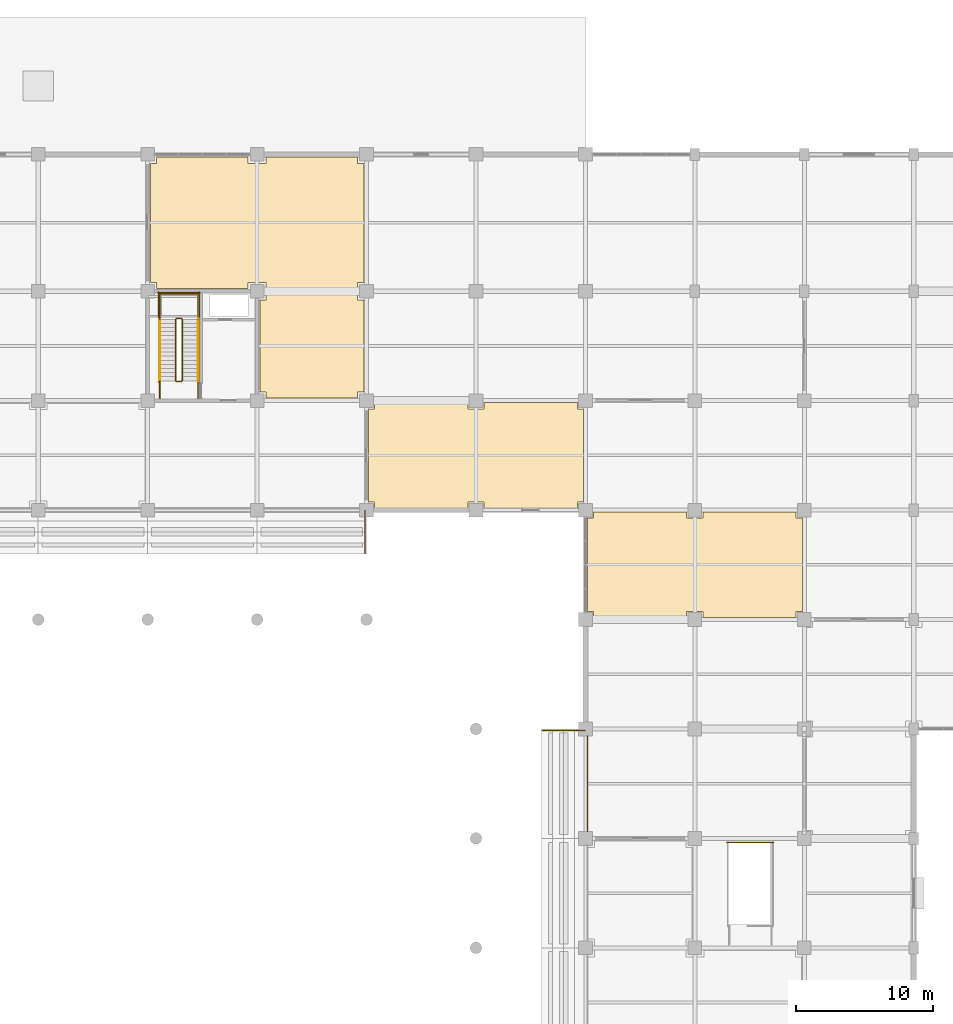
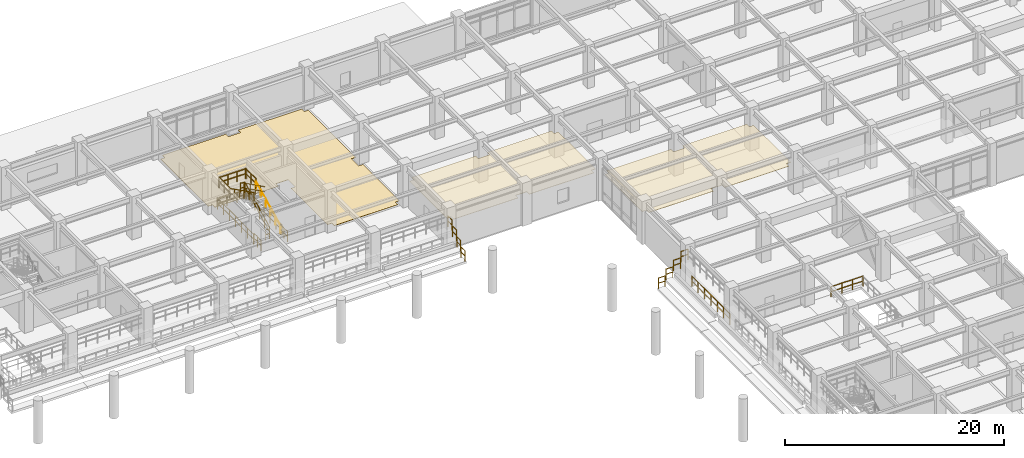
# One storey, part 116 of 117: 24 railings, 3 coverings.
"""IFC4 building model written with IfcOpenShell, lengths in metres."""

from ifc_helpers import new_model, si_unit, direction, frame, origin, origin_2d, place, context, subcontext, project, spatial, polyline, circle, outline, extrude, material, layer, layer_set, type_object, element, save


model = new_model("IFC4")

# Units and contexts
model_context = context("Model", 3, precision=1e-05, world=origin(), true_north=direction((0.0, 1.0)))
body_context = subcontext(model_context, "Body", "Model", "MODEL_VIEW")
ifc_project = project(units=[si_unit("LENGTHUNIT", "METRE"), si_unit("AREAUNIT", "SQUARE_METRE"), si_unit("VOLUMEUNIT", "CUBIC_METRE"), si_unit("PLANEANGLEUNIT", "RADIAN"), si_unit("MASSUNIT", "GRAM", prefix="KILO")], contexts=[model_context])

# Site, building, storey
site_placement = place(None, origin())
site = spatial("IfcSite", under=ifc_project, at=site_placement, CompositionType="ELEMENT")
building_placement = place(site_placement, origin())
building = spatial("IfcBuilding", under=site, at=building_placement, Name="Haebicheon Civic Stadium", CompositionType="ELEMENT")
storey_placement = place(building_placement, frame((0.0, 0.0, 4.800048828125)))
storey = spatial("IfcBuildingStorey", under=building, at=storey_placement, Name="L02", CompositionType="ELEMENT", Elevation=4.800048828125)

# Coverings
ifc_material_1 = material(Name="Perforated mineral-fibre acoustic board", Category="gypsum")
ifc_layer_1 = layer(ifc_material_1, 0.0400390625, Name="Perforated mineral-fibre acoustic board")
ifc_layer_set_1 = layer_set([ifc_layer_1], Name="Perforated mineral-fibre acoustic board")
covering_type_1 = type_object("IfcCoveringType", Name="COV-CLG-AC", PredefinedType="CEILING", material=ifc_layer_set_1)
covering_1_placement = place(storey_placement, frame((0.0, 0.0, 2.81005859375)))
element("IfcCovering", 1, at=covering_1_placement, inside=storey, type_object=covering_type_1, material=ifc_layer_set_1, Name="L02 Food and Beverage Kiosk acoustic ceiling", PredefinedType="CEILING", context=body_context, shape_type="SweptSolid", body=[
    extrude(outline(polyline([(128.14501953125, 159.405029296875), (128.594970703125, 159.405029296875), (128.594970703125, 159.85498046875), (135.405029296875, 159.85498046875), (135.405029296875, 159.405029296875), (136.594970703125, 159.405029296875), (136.594970703125, 159.85498046875), (143.405029296875, 159.85498046875), (143.405029296875, 159.405029296875), (143.85498046875, 159.405029296875), (143.85498046875, 152.594970703125), (143.405029296875, 152.594970703125), (143.405029296875, 152.14501953125), (136.594970703125, 152.14501953125), (136.594970703125, 152.594970703125), (135.405029296875, 152.594970703125), (135.405029296875, 152.14501953125), (128.594970703125, 152.14501953125), (128.594970703125, 152.594970703125), (128.14501953125, 152.594970703125), (128.14501953125, 159.405029296875)])), origin(), (0.0, 0.0, 1.0), 0.039794921875),
])
covering_2_placement = place(storey_placement, frame((0.0, 0.0, 2.81005859375)))
element("IfcCovering", 2, at=covering_2_placement, inside=storey, type_object=covering_type_1, material=ifc_layer_set_1, Name="L02 Concourse Catering Kitchen acoustic ceiling", PredefinedType="CEILING", context=body_context, shape_type="SweptSolid", body=[
    extrude(outline(polyline([(144.14501953125, 151.405029296875), (144.594970703125, 151.405029296875), (144.594970703125, 151.85498046875), (151.405029296875, 151.85498046875), (151.405029296875, 151.405029296875), (152.594970703125, 151.405029296875), (152.594970703125, 151.85498046875), (159.405029296875, 151.85498046875), (159.405029296875, 151.405029296875), (159.85498046875, 151.405029296875), (159.85498046875, 144.594970703125), (159.405029296875, 144.594970703125), (159.405029296875, 144.14501953125), (152.594970703125, 144.14501953125), (152.594970703125, 144.594970703125), (151.405029296875, 144.594970703125), (151.405029296875, 144.14501953125), (144.594970703125, 144.14501953125), (144.594970703125, 144.594970703125), (144.14501953125, 144.594970703125), (144.14501953125, 151.405029296875)])), origin(), (0.0, 0.0, 1.0), 0.039794921875),
])
ifc_material_2 = material(Name="Quartz epoxy resin mortar", Category="concrete")
ifc_layer_2 = layer(ifc_material_2, 0.030029296875, Name="Quartz epoxy resin mortar")
ifc_layer_set_2 = layer_set([ifc_layer_2], Name="Quartz epoxy resin mortar")
covering_type_2 = type_object("IfcCoveringType", Name="COV-FLR-EPX", PredefinedType="FLOORING", material=ifc_layer_set_2)
covering_3_placement = place(storey_placement, origin())
element("IfcCovering", 3, at=covering_3_placement, inside=storey, type_object=covering_type_2, material=ifc_layer_set_2, Name="L02 Merchandise Kiosk non-slip floor finish", PredefinedType="FLOORING", context=body_context, shape_type="SweptSolid", body=[
    extrude(outline(polyline([(120.64990234375, 160.199951171875), (120.64990234375, 160.64990234375), (120.199951171875, 160.64990234375), (120.199951171875, 167.35009765625), (120.64990234375, 167.35009765625), (120.64990234375, 168.64990234375), (119.35009765625, 168.64990234375), (119.35009765625, 168.199951171875), (112.64990234375, 168.199951171875), (112.64990234375, 168.64990234375), (112.199951171875, 168.64990234375), (112.199951171875, 177.35009765625), (112.64990234375, 177.35009765625), (112.64990234375, 177.800048828125), (119.35009765625, 177.800048828125), (119.35009765625, 177.35009765625), (120.64990234375, 177.35009765625), (120.64990234375, 177.800048828125), (127.35009765625, 177.800048828125), (127.35009765625, 177.35009765625), (127.800048828125, 177.35009765625), (127.800048828125, 168.64990234375), (127.35009765625, 168.64990234375), (127.35009765625, 167.35009765625), (127.800048828125, 167.35009765625), (127.800048828125, 160.64990234375), (127.35009765625, 160.64990234375), (127.35009765625, 160.199951171875), (120.64990234375, 160.199951171875)])), origin(), (0.0, 0.0, 1.0), 0.030029296875),
])

# Railings
ifc_material_3 = material(Name="Stainless steel 316 and laminated glass", Category="steel")
railing_type_1 = type_object("IfcRailingType", Name="RL-BAL-1200", PredefinedType="BALUSTRADE", material=ifc_material_3)
railing_1_placement = place(storey_placement, frame((144.139892578125, 128.5, 0.0)))
element("IfcRailing", 4, at=railing_1_placement, inside=storey, type_object=railing_type_1, material=ifc_material_3, Name="L02 concourse bowl-edge balustrade 032", PredefinedType="BALUSTRADE", context=body_context, shape_type="SweptSolid", body=[
    extrude(circle(Radius=0.02392578125, at=origin_2d()), frame((0.0, 0.0, 1.17578125), z_axis=(0.0, 1.0, 0.0), x_axis=(-1.0, 0.0, 0.0)), (0.0, 0.0, 1.0), 7.0),
    extrude(circle(Radius=0.02392578125, at=origin_2d()), frame((0.0, 0.0, 0.60009765625), z_axis=(0.0, 1.0, 0.0), x_axis=(-1.0, 0.0, 0.0)), (0.0, 0.0, 1.0), 7.0),
    extrude(circle(Radius=0.02099609375, at=origin_2d()), origin(), (0.0, 0.0, 1.0), 1.15185546875),
    extrude(circle(Radius=0.02099609375, at=origin_2d()), frame((0.0, 1.166748046875, 0.0)), (0.0, 0.0, 1.0), 1.15185546875),
    extrude(circle(Radius=0.02099609375, at=origin_2d()), frame((0.0, 2.333251953125, 0.0)), (0.0, 0.0, 1.0), 1.15185546875),
    extrude(circle(Radius=0.02099609375, at=origin_2d()), frame((0.0, 3.5, 0.0)), (0.0, 0.0, 1.0), 1.15185546875),
    extrude(circle(Radius=0.02099609375, at=origin_2d()), frame((0.0, 4.666748046875, 0.0)), (0.0, 0.0, 1.0), 1.15185546875),
    extrude(circle(Radius=0.02099609375, at=origin_2d()), frame((0.0, 5.833251953125, 0.0)), (0.0, 0.0, 1.0), 1.15185546875),
    extrude(circle(Radius=0.02099609375, at=origin_2d()), frame((0.0, 7.0, 0.0)), (0.0, 0.0, 1.0), 1.15185546875),
])
railing_2_placement = place(storey_placement, frame((140.840087890625, 135.89990234375, 0.6669921875)))
element("IfcRailing", 5, at=railing_2_placement, inside=storey, type_object=railing_type_1, material=ifc_material_3, Name="TIER-E-L end-aisle side guard N.7", PredefinedType="BALUSTRADE", context=body_context, shape_type="SweptSolid", body=[
    extrude(circle(Radius=0.02392578125, at=origin_2d()), frame((0.0, 0.0, 1.17578125), z_axis=(1.0, 0.0, 0.0), x_axis=(0.0, 1.0, 0.0)), (0.0, 0.0, 1.0), 0.719970703125),
    extrude(circle(Radius=0.02392578125, at=origin_2d()), frame((0.0, 0.0, 0.60009765625), z_axis=(1.0, 0.0, 0.0), x_axis=(0.0, 1.0, 0.0)), (0.0, 0.0, 1.0), 0.719970703125),
    extrude(circle(Radius=0.02099609375, at=origin_2d()), origin(), (0.0, 0.0, 1.0), 1.15185546875),
    extrude(circle(Radius=0.02099609375, at=origin_2d()), frame((0.719970703125, 0.0, 0.0)), (0.0, 0.0, 1.0), 1.15185546875),
])
railing_3_placement = place(storey_placement, frame((141.639892578125, 135.89990234375, 1.3779296875)))
element("IfcRailing", 6, at=railing_3_placement, inside=storey, type_object=railing_type_1, material=ifc_material_3, Name="TIER-E-L end-aisle side guard N.8", PredefinedType="BALUSTRADE", context=body_context, shape_type="SweptSolid", body=[
    extrude(circle(Radius=0.02392578125, at=origin_2d()), frame((0.0, 0.0, 1.17578125), z_axis=(1.0, 0.0, 0.0), x_axis=(0.0, 1.0, 0.0)), (0.0, 0.0, 1.0), 0.72021484375),
    extrude(circle(Radius=0.02392578125, at=origin_2d()), frame((0.0, 0.0, 0.60009765625), z_axis=(1.0, 0.0, 0.0), x_axis=(0.0, 1.0, 0.0)), (0.0, 0.0, 1.0), 0.72021484375),
    extrude(circle(Radius=0.02099609375, at=origin_2d()), origin(), (0.0, 0.0, 1.0), 1.15185546875),
    extrude(circle(Radius=0.02099609375, at=origin_2d()), frame((0.72021484375, 0.0, 0.0)), (0.0, 0.0, 1.0), 1.15185546875),
])
for number, where, name in (
    (7, (142.43994140625, 135.89990234375, 2.0888671875), "TIER-E-L end-aisle side guard N.9"),
    (8, (143.239990234375, 135.89990234375, 2.800048828125), "TIER-E-L end-aisle side guard N.10"),
):
    element("IfcRailing", number, at=place(storey_placement, frame(where)), inside=storey, type_object=railing_type_1, material=ifc_material_3, Name=name, PredefinedType="BALUSTRADE", context=body_context, shape_type="SweptSolid", body=[
        extrude(circle(Radius=0.02392578125, at=origin_2d()), frame((0.0, 0.0, 1.17578125), z_axis=(1.0, 0.0, 0.0), x_axis=(0.0, 1.0, 0.0)), (0.0, 0.0, 1.0), 0.719970703125),
        extrude(circle(Radius=0.02392578125, at=origin_2d()), frame((0.0, 0.0, 0.60009765625), z_axis=(1.0, 0.0, 0.0), x_axis=(0.0, 1.0, 0.0)), (0.0, 0.0, 1.0), 0.719970703125),
        extrude(circle(Radius=0.02099609375, at=origin_2d()), origin(), (0.0, 0.0, 1.0), 1.15185546875),
        extrude(circle(Radius=0.02099609375, at=origin_2d()), frame((0.719970703125, 0.0, 0.0)), (0.0, 0.0, 1.0), 1.15185546875),
    ])
railing_4_placement = place(storey_placement, frame((127.89990234375, 148.840087890625, 0.39990234375)))
element("IfcRailing", 9, at=railing_4_placement, inside=storey, type_object=railing_type_1, material=ifc_material_3, Name="TIER-N-L end-aisle side guard E.7", PredefinedType="BALUSTRADE", context=body_context, shape_type="SweptSolid", body=[
    extrude(circle(Radius=0.02392578125, at=origin_2d()), frame((0.0, 0.0, 1.17578125), z_axis=(0.0, 1.0, 0.0), x_axis=(-1.0, 0.0, 0.0)), (0.0, 0.0, 1.0), 0.719970703125),
    extrude(circle(Radius=0.02392578125, at=origin_2d()), frame((0.0, 0.0, 0.60009765625), z_axis=(0.0, 1.0, 0.0), x_axis=(-1.0, 0.0, 0.0)), (0.0, 0.0, 1.0), 0.719970703125),
    extrude(circle(Radius=0.02099609375, at=origin_2d()), origin(), (0.0, 0.0, 1.0), 1.15185546875),
    extrude(circle(Radius=0.02099609375, at=origin_2d()), frame((0.0, 0.719970703125, 0.0)), (0.0, 0.0, 1.0), 1.15185546875),
])
railing_5_placement = place(storey_placement, frame((127.89990234375, 149.639892578125, 1.06689453125)))
element("IfcRailing", 10, at=railing_5_placement, inside=storey, type_object=railing_type_1, material=ifc_material_3, Name="TIER-N-L end-aisle side guard E.8", PredefinedType="BALUSTRADE", context=body_context, shape_type="SweptSolid", body=[
    extrude(circle(Radius=0.02392578125, at=origin_2d()), frame((0.0, 0.0, 1.17578125), z_axis=(0.0, 1.0, 0.0), x_axis=(-1.0, 0.0, 0.0)), (0.0, 0.0, 1.0), 0.72021484375),
    extrude(circle(Radius=0.02392578125, at=origin_2d()), frame((0.0, 0.0, 0.60009765625), z_axis=(0.0, 1.0, 0.0), x_axis=(-1.0, 0.0, 0.0)), (0.0, 0.0, 1.0), 0.72021484375),
    extrude(circle(Radius=0.02099609375, at=origin_2d()), origin(), (0.0, 0.0, 1.0), 1.15185546875),
    extrude(circle(Radius=0.02099609375, at=origin_2d()), frame((0.0, 0.72021484375, 0.0)), (0.0, 0.0, 1.0), 1.15185546875),
])
for number, where, name in (
    (11, (127.89990234375, 150.43994140625, 1.73291015625), "TIER-N-L end-aisle side guard E.9"),
    (12, (127.89990234375, 151.239990234375, 2.39990234375), "TIER-N-L end-aisle side guard E.10"),
):
    element("IfcRailing", number, at=place(storey_placement, frame(where)), inside=storey, type_object=railing_type_1, material=ifc_material_3, Name=name, PredefinedType="BALUSTRADE", context=body_context, shape_type="SweptSolid", body=[
        extrude(circle(Radius=0.02392578125, at=origin_2d()), frame((0.0, 0.0, 1.17578125), z_axis=(0.0, 1.0, 0.0), x_axis=(-1.0, 0.0, 0.0)), (0.0, 0.0, 1.0), 0.719970703125),
        extrude(circle(Radius=0.02392578125, at=origin_2d()), frame((0.0, 0.0, 0.60009765625), z_axis=(0.0, 1.0, 0.0), x_axis=(-1.0, 0.0, 0.0)), (0.0, 0.0, 1.0), 0.719970703125),
        extrude(circle(Radius=0.02099609375, at=origin_2d()), origin(), (0.0, 0.0, 1.0), 1.15185546875),
        extrude(circle(Radius=0.02099609375, at=origin_2d()), frame((0.0, 0.719970703125, 0.0)), (0.0, 0.0, 1.0), 1.15185546875),
    ])
ifc_material_4 = material(Name="Galvanised painted steel SM355", Category="steel")
railing_type_2 = type_object("IfcRailingType", Name="RL-GRD-1150", PredefinedType="GUARDRAIL", material=ifc_material_4)
railing_6_placement = place(storey_placement, frame((114.530029296875, 161.449951171875, 0.14990234375)))
element("IfcRailing", 13, at=railing_6_placement, inside=storey, type_object=railing_type_2, material=ifc_material_4, Name="L02 ST-09 stair guard 1", PredefinedType="GUARDRAIL", context=body_context, shape_type="SweptSolid", body=[
    extrude(circle(Radius=0.02392578125, at=origin_2d()), frame((0.0, 0.0, 1.1259765625), z_axis=(0.0, 0.894427191, 0.4472135955), x_axis=(-1.0, 0.0, 0.0)), (0.0, 0.0, 1.0), 5.03125),
    extrude(circle(Radius=0.02392578125, at=origin_2d()), frame((0.0, 0.0, 0.574951171875), z_axis=(0.0, 0.894427191, 0.4472135955), x_axis=(-1.0, 0.0, 0.0)), (0.0, 0.0, 1.0), 5.03125),
    extrude(circle(Radius=0.02099609375, at=origin_2d()), origin(), (0.0, 0.0, 1.0), 1.101806640625),
    extrude(circle(Radius=0.02099609375, at=origin_2d()), frame((0.0, 0.89990234375, 0.449951171875)), (0.0, 0.0, 1.0), 1.101806640625),
    extrude(circle(Radius=0.02099609375, at=origin_2d()), frame((0.0, 1.800048828125, 0.89990234375)), (0.0, 0.0, 1.0), 1.101806640625),
    extrude(circle(Radius=0.02099609375, at=origin_2d()), frame((0.0, 2.699951171875, 1.35009765625)), (0.0, 0.0, 1.0), 1.101806640625),
    extrude(circle(Radius=0.02099609375, at=origin_2d()), frame((0.0, 3.60009765625, 1.800048828125)), (0.0, 0.0, 1.0), 1.101806640625),
    extrude(circle(Radius=0.02099609375, at=origin_2d()), frame((0.0, 4.5, 2.25)), (0.0, 0.0, 1.0), 1.101806640625),
])
railing_7_placement = place(storey_placement, frame((114.47998046875, 166.0, 2.39990234375)))
element("IfcRailing", 14, at=railing_7_placement, inside=storey, type_object=railing_type_2, material=ifc_material_4, Name="L02 ST-09 stair guard 2", PredefinedType="GUARDRAIL", context=body_context, shape_type="SweptSolid", body=[
    extrude(circle(Radius=0.02392578125, at=origin_2d()), frame((0.0, 0.0, 1.1259765625), z_axis=(-1.0, 0.0, 0.0), x_axis=(0.0, -1.0, 0.0)), (0.0, 0.0, 1.0), 0.3798828125),
    extrude(circle(Radius=0.02392578125, at=origin_2d()), frame((0.0, 0.0, 0.574951171875), z_axis=(-1.0, 0.0, 0.0), x_axis=(0.0, -1.0, 0.0)), (0.0, 0.0, 1.0), 0.3798828125),
    extrude(circle(Radius=0.02099609375, at=origin_2d()), origin(), (0.0, 0.0, 1.0), 1.101806640625),
    extrude(circle(Radius=0.02099609375, at=origin_2d()), frame((-0.3798828125, 0.0, 0.0)), (0.0, 0.0, 1.0), 1.101806640625),
])
for number, where, name in (
    (15, (115.68994140625, 165.949951171875, 2.39990234375), "L02 ST-09 stair guard 3"),
    (16, (112.889892578125, 165.949951171875, 2.39990234375), "L02 ST-09 stair guard 4"),
):
    element("IfcRailing", number, at=place(storey_placement, frame(where)), inside=storey, type_object=railing_type_2, material=ifc_material_4, Name=name, PredefinedType="GUARDRAIL", context=body_context, shape_type="SweptSolid", body=[
        extrude(circle(Radius=0.02392578125, at=origin_2d()), frame((0.0, 0.0, 1.1259765625), z_axis=(0.0, 1.0, 0.0), x_axis=(-1.0, 0.0, 0.0)), (0.0, 0.0, 1.0), 1.89013671875),
        extrude(circle(Radius=0.02392578125, at=origin_2d()), frame((0.0, 0.0, 0.574951171875), z_axis=(0.0, 1.0, 0.0), x_axis=(-1.0, 0.0, 0.0)), (0.0, 0.0, 1.0), 1.89013671875),
        extrude(circle(Radius=0.02099609375, at=origin_2d()), origin(), (0.0, 0.0, 1.0), 1.101806640625),
        extrude(circle(Radius=0.02099609375, at=origin_2d()), frame((0.0, 0.945068359375, 0.0)), (0.0, 0.0, 1.0), 1.101806640625),
        extrude(circle(Radius=0.02099609375, at=origin_2d()), frame((0.0, 1.89013671875, 0.0)), (0.0, 0.0, 1.0), 1.101806640625),
    ])
railing_8_placement = place(storey_placement, frame((115.739990234375, 167.7900390625, 2.39990234375)))
element("IfcRailing", 17, at=railing_8_placement, inside=storey, type_object=railing_type_2, material=ifc_material_4, Name="L02 ST-09 stair guard 5", PredefinedType="GUARDRAIL", context=body_context, shape_type="SweptSolid", body=[
    extrude(circle(Radius=0.02392578125, at=origin_2d()), frame((0.0, 0.0, 1.1259765625), z_axis=(-1.0, 0.0, 0.0), x_axis=(0.0, -1.0, 0.0)), (0.0, 0.0, 1.0), 2.89990234375),
    extrude(circle(Radius=0.02392578125, at=origin_2d()), frame((0.0, 0.0, 0.574951171875), z_axis=(-1.0, 0.0, 0.0), x_axis=(0.0, -1.0, 0.0)), (0.0, 0.0, 1.0), 2.89990234375),
    extrude(circle(Radius=0.02099609375, at=origin_2d()), origin(), (0.0, 0.0, 1.0), 1.101806640625),
    extrude(circle(Radius=0.02099609375, at=origin_2d()), frame((-0.966552734375, 0.0, 0.0)), (0.0, 0.0, 1.0), 1.101806640625),
    extrude(circle(Radius=0.02099609375, at=origin_2d()), frame((-1.933349609375, 0.0, 0.0)), (0.0, 0.0, 1.0), 1.101806640625),
    extrude(circle(Radius=0.02099609375, at=origin_2d()), frame((-2.89990234375, 0.0, 0.0)), (0.0, 0.0, 1.0), 1.101806640625),
])
railing_9_placement = place(storey_placement, frame((114.050048828125, 165.949951171875, 2.550048828125)))
element("IfcRailing", 18, at=railing_9_placement, inside=storey, type_object=railing_type_2, material=ifc_material_4, Name="L02 ST-09 stair guard 6", PredefinedType="GUARDRAIL", context=body_context, shape_type="SweptSolid", body=[
    extrude(circle(Radius=0.02392578125, at=origin_2d()), frame((0.0, 0.0, 1.1259765625), z_axis=(0.0, -0.894427191, 0.4472135955), x_axis=(1.0, 0.0, 0.0)), (0.0, 0.0, 1.0), 5.03125),
    extrude(circle(Radius=0.02392578125, at=origin_2d()), frame((0.0, 0.0, 0.574951171875), z_axis=(0.0, -0.894427191, 0.4472135955), x_axis=(1.0, 0.0, 0.0)), (0.0, 0.0, 1.0), 5.03125),
    extrude(circle(Radius=0.02099609375, at=origin_2d()), origin(), (0.0, 0.0, 1.0), 1.101806640625),
    extrude(circle(Radius=0.02099609375, at=origin_2d()), frame((0.0, -0.89990234375, 0.449951171875)), (0.0, 0.0, 1.0), 1.101806640625),
    extrude(circle(Radius=0.02099609375, at=origin_2d()), frame((0.0, -1.800048828125, 0.89990234375)), (0.0, 0.0, 1.0), 1.101806640625),
    extrude(circle(Radius=0.02099609375, at=origin_2d()), frame((0.0, -2.699951171875, 1.35009765625)), (0.0, 0.0, 1.0), 1.101806640625),
    extrude(circle(Radius=0.02099609375, at=origin_2d()), frame((0.0, -3.60009765625, 1.800048828125)), (0.0, 0.0, 1.0), 1.101806640625),
    extrude(circle(Radius=0.02099609375, at=origin_2d()), frame((0.0, -4.5, 2.25)), (0.0, 0.0, 1.0), 1.101806640625),
])
railing_10_placement = place(storey_placement, frame((114.47998046875, 161.39990234375, 0.0)))
element("IfcRailing", 19, at=railing_10_placement, inside=storey, type_object=railing_type_2, material=ifc_material_4, Name="L02 ST-09 stair guard 7", PredefinedType="GUARDRAIL", context=body_context, shape_type="SweptSolid", body=[
    extrude(circle(Radius=0.02392578125, at=origin_2d()), frame((0.0, 0.0, 1.1259765625), z_axis=(-1.0, 0.0, 0.0), x_axis=(0.0, -1.0, 0.0)), (0.0, 0.0, 1.0), 0.3798828125),
    extrude(circle(Radius=0.02392578125, at=origin_2d()), frame((0.0, 0.0, 0.574951171875), z_axis=(-1.0, 0.0, 0.0), x_axis=(0.0, -1.0, 0.0)), (0.0, 0.0, 1.0), 0.3798828125),
    extrude(circle(Radius=0.02099609375, at=origin_2d()), origin(), (0.0, 0.0, 1.0), 1.101806640625),
    extrude(circle(Radius=0.02099609375, at=origin_2d()), frame((-0.3798828125, 0.0, 0.0)), (0.0, 0.0, 1.0), 1.101806640625),
])
for number, where, name in (
    (20, (115.68994140625, 160.159912109375, 0.0), "L02 ST-09 stair guard 8"),
    (21, (112.889892578125, 160.159912109375, 0.0), "L02 ST-09 stair guard 9"),
):
    element("IfcRailing", number, at=place(storey_placement, frame(where)), inside=storey, type_object=railing_type_2, material=ifc_material_4, Name=name, PredefinedType="GUARDRAIL", context=body_context, shape_type="SweptSolid", body=[
        extrude(circle(Radius=0.02392578125, at=origin_2d()), frame((0.0, 0.0, 1.1259765625), z_axis=(0.0, 1.0, 0.0), x_axis=(-1.0, 0.0, 0.0)), (0.0, 0.0, 1.0), 1.2900390625),
        extrude(circle(Radius=0.02392578125, at=origin_2d()), frame((0.0, 0.0, 0.574951171875), z_axis=(0.0, 1.0, 0.0), x_axis=(-1.0, 0.0, 0.0)), (0.0, 0.0, 1.0), 1.2900390625),
        extrude(circle(Radius=0.02099609375, at=origin_2d()), origin(), (0.0, 0.0, 1.0), 1.101806640625),
        extrude(circle(Radius=0.02099609375, at=origin_2d()), frame((0.0, 0.64501953125, 0.0)), (0.0, 0.0, 1.0), 1.101806640625),
        extrude(circle(Radius=0.02099609375, at=origin_2d()), frame((0.0, 1.2900390625, 0.0)), (0.0, 0.0, 1.0), 1.101806640625),
    ])
for number, where, name in (
    (22, (115.7900390625, 161.35009765625, 0.0), "L02 ST-09 stair guard 10"),
    (23, (112.7900390625, 161.35009765625, 0.0), "L02 ST-09 stair guard 11"),
):
    element("IfcRailing", number, at=place(storey_placement, frame(where)), inside=storey, type_object=railing_type_2, material=ifc_material_4, Name=name, PredefinedType="GUARDRAIL", context=body_context, shape_type="SweptSolid", body=[
        extrude(circle(Radius=0.02392578125, at=origin_2d()), frame((0.0, 0.0, 1.1259765625), z_axis=(0.0, 1.0, 0.0), x_axis=(-1.0, 0.0, 0.0)), (0.0, 0.0, 1.0), 6.58984375),
        extrude(circle(Radius=0.02392578125, at=origin_2d()), frame((0.0, 0.0, 0.574951171875), z_axis=(0.0, 1.0, 0.0), x_axis=(-1.0, 0.0, 0.0)), (0.0, 0.0, 1.0), 6.58984375),
        extrude(circle(Radius=0.02099609375, at=origin_2d()), origin(), (0.0, 0.0, 1.0), 1.101806640625),
        extrude(circle(Radius=0.02099609375, at=origin_2d()), frame((0.0, 1.098388671875, 0.0)), (0.0, 0.0, 1.0), 1.101806640625),
        extrude(circle(Radius=0.02099609375, at=origin_2d()), frame((0.0, 2.196533203125, 0.0)), (0.0, 0.0, 1.0), 1.101806640625),
        extrude(circle(Radius=0.02099609375, at=origin_2d()), frame((0.0, 3.294921875, 0.0)), (0.0, 0.0, 1.0), 1.101806640625),
        extrude(circle(Radius=0.02099609375, at=origin_2d()), frame((0.0, 4.393310546875, 0.0)), (0.0, 0.0, 1.0), 1.101806640625),
        extrude(circle(Radius=0.02099609375, at=origin_2d()), frame((0.0, 5.491455078125, 0.0)), (0.0, 0.0, 1.0), 1.101806640625),
        extrude(circle(Radius=0.02099609375, at=origin_2d()), frame((0.0, 6.58984375, 0.0)), (0.0, 0.0, 1.0), 1.101806640625),
    ])
railing_11_placement = place(storey_placement, frame((115.840087890625, 167.889892578125, 0.0)))
element("IfcRailing", 24, at=railing_11_placement, inside=storey, type_object=railing_type_2, material=ifc_material_4, Name="L02 ST-09 stair guard 12", PredefinedType="GUARDRAIL", context=body_context, shape_type="SweptSolid", body=[
    extrude(circle(Radius=0.02392578125, at=origin_2d()), frame((0.0, 0.0, 1.1259765625), z_axis=(-1.0, 0.0, 0.0), x_axis=(0.0, -1.0, 0.0)), (0.0, 0.0, 1.0), 3.10009765625),
    extrude(circle(Radius=0.02392578125, at=origin_2d()), frame((0.0, 0.0, 0.574951171875), z_axis=(-1.0, 0.0, 0.0), x_axis=(0.0, -1.0, 0.0)), (0.0, 0.0, 1.0), 3.10009765625),
    extrude(circle(Radius=0.02099609375, at=origin_2d()), origin(), (0.0, 0.0, 1.0), 1.101806640625),
    extrude(circle(Radius=0.02099609375, at=origin_2d()), frame((-1.033447265625, 0.0, 0.0)), (0.0, 0.0, 1.0), 1.101806640625),
    extrude(circle(Radius=0.02099609375, at=origin_2d()), frame((-2.066650390625, 0.0, 0.0)), (0.0, 0.0, 1.0), 1.101806640625),
    extrude(circle(Radius=0.02099609375, at=origin_2d()), frame((-3.10009765625, 0.0, 0.0)), (0.0, 0.0, 1.0), 1.101806640625),
])
railing_12_placement = place(storey_placement, frame((157.739990234375, 127.699951171875, 0.0)))
element("IfcRailing", 25, at=railing_12_placement, inside=storey, type_object=railing_type_2, material=ifc_material_4, Name="L02 VM-08 top well guard 4", PredefinedType="GUARDRAIL", context=body_context, shape_type="SweptSolid", body=[
    extrude(circle(Radius=0.02392578125, at=origin_2d()), frame((0.0, 0.0, 1.1259765625), z_axis=(-1.0, 0.0, 0.0), x_axis=(0.0, -1.0, 0.0)), (0.0, 0.0, 1.0), 3.3798828125),
    extrude(circle(Radius=0.02392578125, at=origin_2d()), frame((0.0, 0.0, 0.574951171875), z_axis=(-1.0, 0.0, 0.0), x_axis=(0.0, -1.0, 0.0)), (0.0, 0.0, 1.0), 3.3798828125),
    extrude(circle(Radius=0.02099609375, at=origin_2d()), origin(), (0.0, 0.0, 1.0), 1.101806640625),
    extrude(circle(Radius=0.02099609375, at=origin_2d()), frame((-1.126708984375, 0.0, 0.0)), (0.0, 0.0, 1.0), 1.101806640625),
    extrude(circle(Radius=0.02099609375, at=origin_2d()), frame((-2.253173828125, 0.0, 0.0)), (0.0, 0.0, 1.0), 1.101806640625),
    extrude(circle(Radius=0.02099609375, at=origin_2d()), frame((-3.3798828125, 0.0, 0.0)), (0.0, 0.0, 1.0), 1.101806640625),
])
ifc_material_5 = material(Name="Stainless steel 316", Category="steel")
railing_type_3 = type_object("IfcRailingType", Name="RL-HND-900", PredefinedType="HANDRAIL", material=ifc_material_5)
railing_13_placement = place(storey_placement, frame((115.68994140625, 161.449951171875, 0.14990234375)))
element("IfcRailing", 26, at=railing_13_placement, inside=storey, type_object=railing_type_3, material=ifc_material_5, Name="L02 ST-09 stair handrail 1", PredefinedType="HANDRAIL", context=body_context, shape_type="SweptSolid", body=[
    extrude(circle(Radius=0.02392578125, at=origin_2d()), frame((0.0, 0.0, 0.8759765625), z_axis=(0.0, 0.894427191, 0.4472135955), x_axis=(-1.0, 0.0, 0.0)), (0.0, 0.0, 1.0), 5.03125),
    extrude(circle(Radius=0.02099609375, at=origin_2d()), origin(), (0.0, 0.0, 1.0), 0.851806640625),
    extrude(circle(Radius=0.02099609375, at=origin_2d()), frame((0.0, 0.89990234375, 0.449951171875)), (0.0, 0.0, 1.0), 0.851806640625),
    extrude(circle(Radius=0.02099609375, at=origin_2d()), frame((0.0, 1.800048828125, 0.89990234375)), (0.0, 0.0, 1.0), 0.851806640625),
    extrude(circle(Radius=0.02099609375, at=origin_2d()), frame((0.0, 2.699951171875, 1.35009765625)), (0.0, 0.0, 1.0), 0.851806640625),
    extrude(circle(Radius=0.02099609375, at=origin_2d()), frame((0.0, 3.60009765625, 1.800048828125)), (0.0, 0.0, 1.0), 0.851806640625),
    extrude(circle(Radius=0.02099609375, at=origin_2d()), frame((0.0, 4.5, 2.25)), (0.0, 0.0, 1.0), 0.851806640625),
])
railing_14_placement = place(storey_placement, frame((112.889892578125, 165.949951171875, 2.550048828125)))
element("IfcRailing", 27, at=railing_14_placement, inside=storey, type_object=railing_type_3, material=ifc_material_5, Name="L02 ST-09 stair handrail 2", PredefinedType="HANDRAIL", context=body_context, shape_type="SweptSolid", body=[
    extrude(circle(Radius=0.02392578125, at=origin_2d()), frame((0.0, 0.0, 0.8759765625), z_axis=(0.0, -0.894427191, 0.4472135955), x_axis=(1.0, 0.0, 0.0)), (0.0, 0.0, 1.0), 5.03125),
    extrude(circle(Radius=0.02099609375, at=origin_2d()), origin(), (0.0, 0.0, 1.0), 0.851806640625),
    extrude(circle(Radius=0.02099609375, at=origin_2d()), frame((0.0, -0.89990234375, 0.449951171875)), (0.0, 0.0, 1.0), 0.851806640625),
    extrude(circle(Radius=0.02099609375, at=origin_2d()), frame((0.0, -1.800048828125, 0.89990234375)), (0.0, 0.0, 1.0), 0.851806640625),
    extrude(circle(Radius=0.02099609375, at=origin_2d()), frame((0.0, -2.699951171875, 1.35009765625)), (0.0, 0.0, 1.0), 0.851806640625),
    extrude(circle(Radius=0.02099609375, at=origin_2d()), frame((0.0, -3.60009765625, 1.800048828125)), (0.0, 0.0, 1.0), 0.851806640625),
    extrude(circle(Radius=0.02099609375, at=origin_2d()), frame((0.0, -4.5, 2.25)), (0.0, 0.0, 1.0), 0.851806640625),
])

save(model, "model.ifc")
